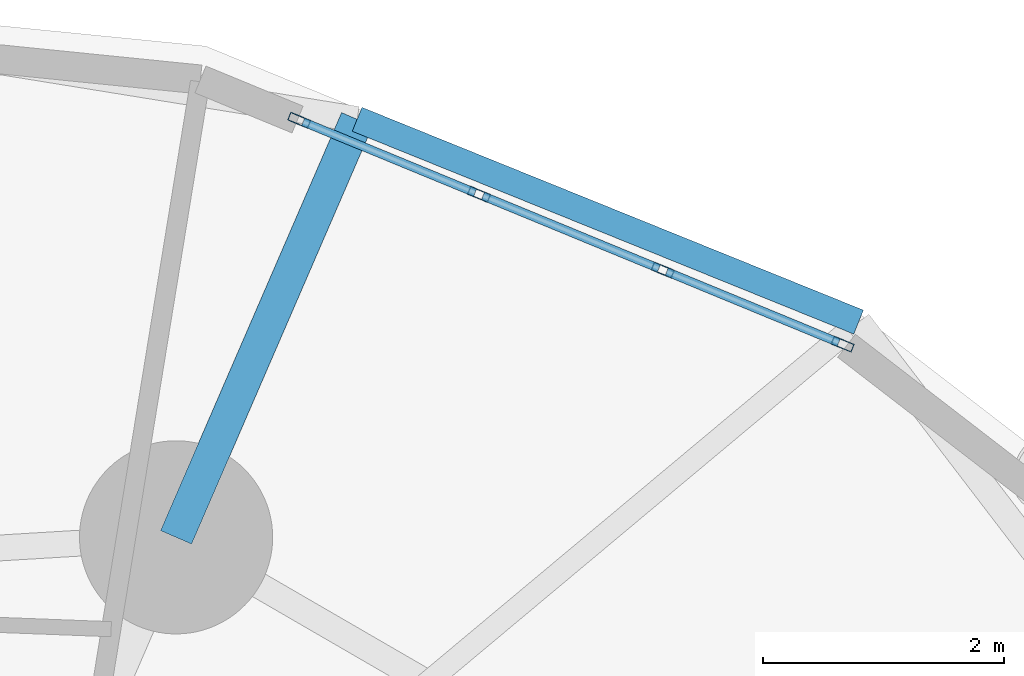
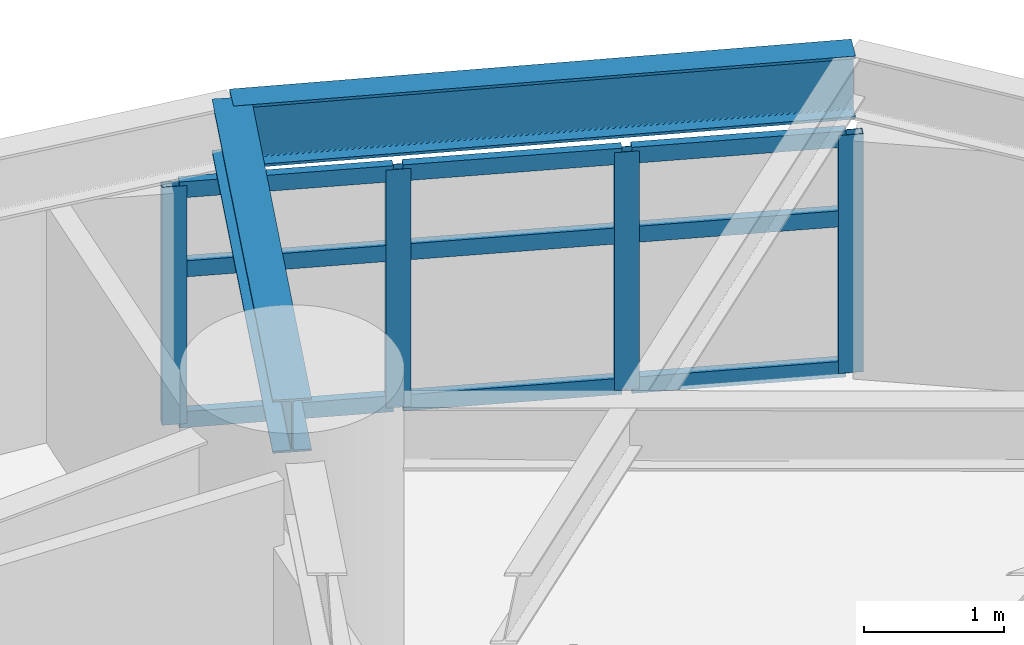
# One storey, part 6 of 17: 13 members, 2 beams, 1 element without a shape of its own.
"""IFC4 building model written with IfcOpenShell, lengths in metres."""

from ifc_helpers import new_model, si_unit, direction, frame, origin, origin_2d, place, context, subcontext, project, spatial, hollow_rectangle, i_section, extrude, material, layer, layer_set, material_profile, profile_set, type_object, element, aggregate, save


model = new_model("IFC4")

# Units and contexts
model_context = context("Model", 3, precision=1e-05, world=origin(), true_north=direction((0.0, 1.0)))
body_context = subcontext(model_context, "Body", "Model", "MODEL_VIEW")
ifc_project = project(units=[si_unit("LENGTHUNIT", "METRE"), si_unit("AREAUNIT", "SQUARE_METRE"), si_unit("VOLUMEUNIT", "CUBIC_METRE"), si_unit("PLANEANGLEUNIT", "RADIAN"), si_unit("MASSUNIT", "GRAM", prefix="KILO")], contexts=[model_context])

# Site, building, storey
site_placement = place(None, origin())
site = spatial("IfcSite", under=ifc_project, at=site_placement, CompositionType="ELEMENT")
building_placement = place(site_placement, origin())
building = spatial("IfcBuilding", under=site, at=building_placement, Name="Cununo Teusaquillo Station Towers", CompositionType="ELEMENT")
storey_placement = place(building_placement, frame((0.0, 0.0, 59.830078125)))
storey = spatial("IfcBuildingStorey", under=building, at=storey_placement, Name="L18", CompositionType="ELEMENT", Elevation=59.830078125)

# Beams
ifc_material_1 = material(Name="Steel ASTM A572 Grade 50", Category="steel")
ifc_material_profile_1 = material_profile(ifc_material_1, i_section(OverallWidth=0.280029296875, OverallDepth=0.462890625, WebThickness=0.0107421875, FlangeThickness=0.017333984375, FilletRadius=0.013916015625, at=origin_2d()), Name="W18X76")
ifc_profile_set_1 = profile_set([ifc_material_profile_1], Name="Steel ASTM A572 Grade 50")
beam_type_1 = type_object("IfcBeamType", Name="BM-RAD-G1", PredefinedType="BEAM", material=ifc_profile_set_1)
beam_1_placement = place(storey_placement, frame((58.291015625, 37.63525390625, 2.41845703125), z_axis=(0.397391354301, 0.917649231203, 0.0), x_axis=(-0.917649231203, 0.397391354301, 0.0)))
element("IfcBeam", 1, at=beam_1_placement, inside=storey, type_object=beam_type_1, Name="L18 Tower B Perimeter Overhang Girder 02B", PredefinedType="BEAM", context=body_context, shape_type="SweptSolid", body=[
    extrude(i_section(OverallWidth=0.280029296875, OverallDepth=0.462890625, WebThickness=0.0107421875, FlangeThickness=0.017333984375, FilletRadius=0.013916015625, at=origin_2d()), origin(), (0.0, 0.0, 1.0), 3.7734375),
])
ifc_material_2 = material(Name="Steel ASTM A572 Grade 50", Category="steel")
ifc_material_profile_2 = material_profile(ifc_material_2, i_section(OverallWidth=0.214111328125, OverallDepth=0.549072265625, WebThickness=0.0146484375, FlangeThickness=0.023681640625, FilletRadius=0.014892578125, at=origin_2d()), Name="W21X93")
ifc_profile_set_2 = profile_set([ifc_material_profile_2], Name="Steel ASTM A572 Grade 50")
beam_type_2 = type_object("IfcBeamType", Name="BM-RING-Z1", PredefinedType="SPANDREL", material=ifc_profile_set_2)
beam_2_placement = place(storey_placement, frame((63.9443359375, 39.418212890625, 2.37548828125), z_axis=(-0.927072194447, 0.374882843411, 0.0), x_axis=(-0.374882843411, -0.927072194447, 0.0)))
element("IfcBeam", 2, at=beam_2_placement, inside=storey, type_object=beam_type_2, Name="L18 Tower B Spandrel Ring Beam 02", PredefinedType="SPANDREL", context=body_context, shape_type="SweptSolid", body=[
    extrude(i_section(OverallWidth=0.214111328125, OverallDepth=0.549072265625, WebThickness=0.0146484375, FlangeThickness=0.023681640625, FilletRadius=0.014892578125, at=origin_2d()), origin(), (0.0, 0.0, 1.0), 4.48046875),
])

# Curtain wall, members
ifc_material_3 = material(Name="Operable acoustic tinted low-E double glazing", Category="glass")
ifc_layer = layer(ifc_material_3, 0.179931640625)
ifc_layer_set = layer_set([ifc_layer], Name="Operable acoustic tinted low-E double glazing")
curtain_wall_type = type_object("IfcCurtainWallType", Name="CW-SYS-03", PredefinedType="USERDEFINED", material=ifc_layer_set)
curtain_wall_placement = place(storey_placement, origin())
curtain_wall = element("IfcCurtainWall", 3, at=curtain_wall_placement, inside=storey, type_object=curtain_wall_type, Name="L18 Tower B Facade Curtain Wall C01", ObjectType="OPERABLE GLAZING", PredefinedType="USERDEFINED")
ifc_material_4 = material(Name="Anodised dark bronze aluminium EN AW-6063-T6", Category="aluminium")
ifc_material_profile_3 = material_profile(ifc_material_4, hollow_rectangle(XDim=0.070068359375, YDim=0.179931640625, WallThickness=0.00390625, at=origin_2d()), Name="CW-MULL-70x180")
ifc_profile_set_3 = profile_set([ifc_material_profile_3], Name="Anodised dark bronze aluminium EN AW-6063-T6")
member_type_1 = type_object("IfcMemberType", Name="CWM-180", PredefinedType="MULLION", material=ifc_profile_set_3)
member_1_placement = place(storey_placement, frame((59.310791015625, 41.090576171875, 0.0), z_axis=(0.0, 0.0, 1.0), x_axis=(0.381006438517, 0.924572384299, 0.0)))
member_1 = element("IfcMember", 4, at=member_1_placement, type_object=member_type_1, Name="CW-03 mullion 1", PredefinedType="MULLION", context=body_context, shape_type="SweptSolid", body=[
    extrude(hollow_rectangle(XDim=0.070068359375, YDim=0.179931640625, WallThickness=0.00390625, at=origin_2d()), origin(), (0.0, 0.0, 1.0), 2.072998046875),
])
member_2_placement = place(storey_placement, frame((60.800537109375, 40.4765625, 0.0), z_axis=(0.0, 0.0, 1.0), x_axis=(0.381006438517, 0.924572384299, 0.0)))
member_2 = element("IfcMember", 5, at=member_2_placement, type_object=member_type_1, Name="CW-03 mullion 2", PredefinedType="MULLION", context=body_context, shape_type="SweptSolid", body=[
    extrude(hollow_rectangle(XDim=0.070068359375, YDim=0.179931640625, WallThickness=0.00390625, at=origin_2d()), origin(), (0.0, 0.0, 1.0), 2.072998046875),
])
member_3_placement = place(storey_placement, frame((62.322509765625, 39.849365234375, 0.0), z_axis=(0.0, 0.0, 1.0), x_axis=(0.381006438517, 0.924572384299, 0.0)))
member_3 = element("IfcMember", 6, at=member_3_placement, type_object=member_type_1, Name="CW-03 mullion 3", PredefinedType="MULLION", context=body_context, shape_type="SweptSolid", body=[
    extrude(hollow_rectangle(XDim=0.070068359375, YDim=0.179931640625, WallThickness=0.00390625, at=origin_2d()), origin(), (0.0, 0.0, 1.0), 2.072998046875),
])
member_4_placement = place(storey_placement, frame((63.812255859375, 39.235595703125, 0.0), z_axis=(0.0, 0.0, 1.0), x_axis=(0.381006438517, 0.924572384299, 0.0)))
member_4 = element("IfcMember", 7, at=member_4_placement, type_object=member_type_1, Name="CW-03 mullion 4", PredefinedType="MULLION", context=body_context, shape_type="SweptSolid", body=[
    extrude(hollow_rectangle(XDim=0.070068359375, YDim=0.179931640625, WallThickness=0.00390625, at=origin_2d()), origin(), (0.0, 0.0, 1.0), 2.072998046875),
])
ifc_material_5 = material(Name="Anodised dark bronze aluminium EN AW-6063-T6", Category="aluminium")
ifc_material_profile_4 = material_profile(ifc_material_5, hollow_rectangle(XDim=0.070068359375, YDim=0.139892578125, WallThickness=0.00390625, at=origin_2d()), Name="CW-TRAN-70x140")
ifc_profile_set_4 = profile_set([ifc_material_profile_4], Name="Anodised dark bronze aluminium EN AW-6063-T6")
member_type_2 = type_object("IfcMemberType", Name="CWT-140", PredefinedType="USERDEFINED", material=ifc_profile_set_4)
member_5_placement = place(storey_placement, frame((59.34326171875, 41.0771484375, 0.034912109375), z_axis=(0.924569788206, -0.381012738286, 0.0), x_axis=(0.381012738286, 0.924569788206, 0.0)))
member_5 = element("IfcMember", 8, at=member_5_placement, type_object=member_type_2, Name="CW-03 transom 1.1", ObjectType="TRANSOM", PredefinedType="USERDEFINED", context=body_context, shape_type="SweptSolid", body=[
    extrude(hollow_rectangle(XDim=0.070068359375, YDim=0.139892578125, WallThickness=0.00390625, at=origin_2d()), origin(), (0.0, 0.0, 1.0), 1.541015625),
])
member_6_placement = place(storey_placement, frame((59.34326171875, 41.0771484375, 1.346923828125), z_axis=(0.924569788206, -0.381012738286, 0.0), x_axis=(0.381012738286, 0.924569788206, 0.0)))
member_6 = element("IfcMember", 9, at=member_6_placement, type_object=member_type_2, Name="CW-03 transom 1.2", ObjectType="TRANSOM", PredefinedType="USERDEFINED", context=body_context, shape_type="SweptSolid", body=[
    extrude(hollow_rectangle(XDim=0.070068359375, YDim=0.139892578125, WallThickness=0.00390625, at=origin_2d()), origin(), (0.0, 0.0, 1.0), 1.541015625),
])
member_7_placement = place(storey_placement, frame((59.34326171875, 41.0771484375, 2.037841796875), z_axis=(0.924569788206, -0.381012738286, 0.0), x_axis=(0.381012738286, 0.924569788206, 0.0)))
member_7 = element("IfcMember", 10, at=member_7_placement, type_object=member_type_2, Name="CW-03 transom 1.3", ObjectType="TRANSOM", PredefinedType="USERDEFINED", context=body_context, shape_type="SweptSolid", body=[
    extrude(hollow_rectangle(XDim=0.070068359375, YDim=0.139892578125, WallThickness=0.00390625, at=origin_2d()), origin(), (0.0, 0.0, 1.0), 1.541015625),
])
member_8_placement = place(storey_placement, frame((60.832763671875, 40.46337890625, 0.034912109375), z_axis=(0.924559362958, -0.381038035329, 0.0), x_axis=(0.381038035329, 0.924559362958, 0.0)))
member_8 = element("IfcMember", 11, at=member_8_placement, type_object=member_type_2, Name="CW-03 transom 2.1", ObjectType="TRANSOM", PredefinedType="USERDEFINED", context=body_context, shape_type="SweptSolid", body=[
    extrude(hollow_rectangle(XDim=0.070068359375, YDim=0.139892578125, WallThickness=0.00390625, at=origin_2d()), origin(), (0.0, 0.0, 1.0), 1.576171875),
])
member_9_placement = place(storey_placement, frame((60.832763671875, 40.46337890625, 1.346923828125), z_axis=(0.924559362958, -0.381038035329, 0.0), x_axis=(0.381038035329, 0.924559362958, 0.0)))
member_9 = element("IfcMember", 12, at=member_9_placement, type_object=member_type_2, Name="CW-03 transom 2.2", ObjectType="TRANSOM", PredefinedType="USERDEFINED", context=body_context, shape_type="SweptSolid", body=[
    extrude(hollow_rectangle(XDim=0.070068359375, YDim=0.139892578125, WallThickness=0.00390625, at=origin_2d()), origin(), (0.0, 0.0, 1.0), 1.576171875),
])
member_10_placement = place(storey_placement, frame((60.832763671875, 40.46337890625, 2.037841796875), z_axis=(0.924559362958, -0.381038035329, 0.0), x_axis=(0.381038035329, 0.924559362958, 0.0)))
member_10 = element("IfcMember", 13, at=member_10_placement, type_object=member_type_2, Name="CW-03 transom 2.3", ObjectType="TRANSOM", PredefinedType="USERDEFINED", context=body_context, shape_type="SweptSolid", body=[
    extrude(hollow_rectangle(XDim=0.070068359375, YDim=0.139892578125, WallThickness=0.00390625, at=origin_2d()), origin(), (0.0, 0.0, 1.0), 1.576171875),
])
member_11_placement = place(storey_placement, frame((62.35498046875, 39.836181640625, 0.034912109375), z_axis=(0.92451397274, -0.381148152572, 0.0), x_axis=(0.381148152572, 0.92451397274, 0.0)))
member_11 = element("IfcMember", 14, at=member_11_placement, type_object=member_type_2, Name="CW-03 transom 3.1", ObjectType="TRANSOM", PredefinedType="USERDEFINED", context=body_context, shape_type="SweptSolid", body=[
    extrude(hollow_rectangle(XDim=0.070068359375, YDim=0.139892578125, WallThickness=0.00390625, at=origin_2d()), origin(), (0.0, 0.0, 1.0), 1.541259765625),
])
member_12_placement = place(storey_placement, frame((62.35498046875, 39.836181640625, 1.346923828125), z_axis=(0.92451397274, -0.381148152572, 0.0), x_axis=(0.381148152572, 0.92451397274, 0.0)))
member_12 = element("IfcMember", 15, at=member_12_placement, type_object=member_type_2, Name="CW-03 transom 3.2", ObjectType="TRANSOM", PredefinedType="USERDEFINED", context=body_context, shape_type="SweptSolid", body=[
    extrude(hollow_rectangle(XDim=0.070068359375, YDim=0.139892578125, WallThickness=0.00390625, at=origin_2d()), origin(), (0.0, 0.0, 1.0), 1.541259765625),
])
member_13_placement = place(storey_placement, frame((62.35498046875, 39.836181640625, 2.037841796875), z_axis=(0.92451397274, -0.381148152572, 0.0), x_axis=(0.381148152572, 0.92451397274, 0.0)))
member_13 = element("IfcMember", 16, at=member_13_placement, type_object=member_type_2, Name="CW-03 transom 3.3", ObjectType="TRANSOM", PredefinedType="USERDEFINED", context=body_context, shape_type="SweptSolid", body=[
    extrude(hollow_rectangle(XDim=0.070068359375, YDim=0.139892578125, WallThickness=0.00390625, at=origin_2d()), origin(), (0.0, 0.0, 1.0), 1.541259765625),
])
aggregate(curtain_wall, [member_1, member_2, member_3, member_4, member_5, member_6, member_7, member_8, member_9, member_10, member_11, member_12, member_13])

save(model, "model.ifc")
